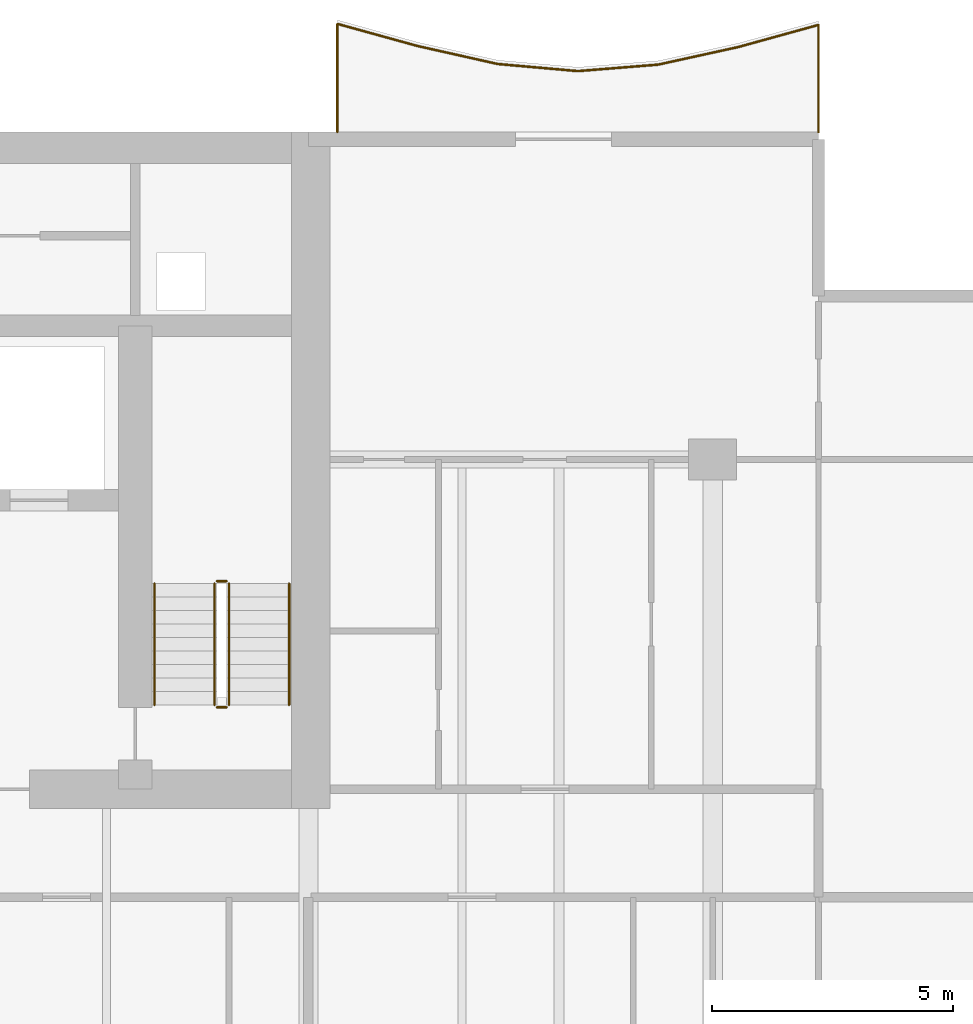
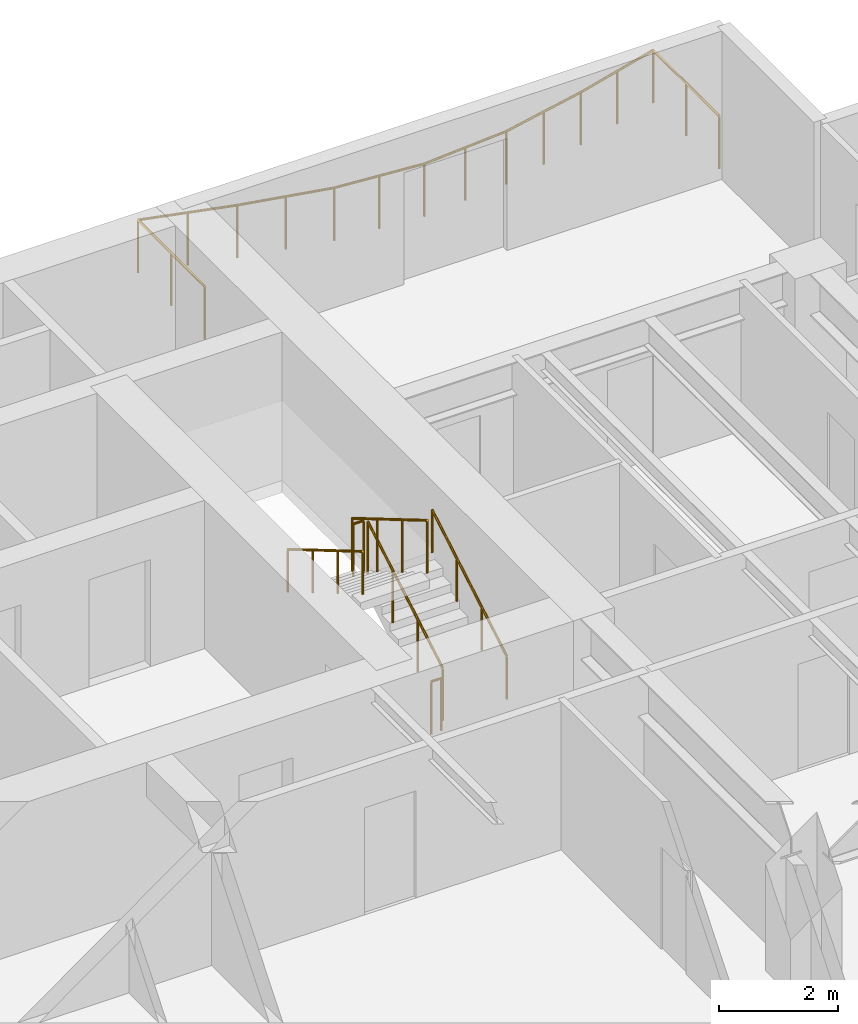
# One storey, part 17 of 18: 7 railings.
"""IFC4 building model written with IfcOpenShell, lengths in metres."""

from ifc_helpers import new_model, si_unit, direction, frame, origin, origin_2d, place, context, subcontext, project, spatial, circle, extrude, material, type_object, element, save


model = new_model("IFC4")

# Units and contexts
model_context = context("Model", 3, precision=1e-05, world=origin(), true_north=direction((0.0, 1.0)))
body_context = subcontext(model_context, "Body", "Model", "MODEL_VIEW")
ifc_project = project(units=[si_unit("LENGTHUNIT", "METRE"), si_unit("AREAUNIT", "SQUARE_METRE"), si_unit("VOLUMEUNIT", "CUBIC_METRE"), si_unit("PLANEANGLEUNIT", "RADIAN"), si_unit("MASSUNIT", "GRAM", prefix="KILO")], contexts=[model_context])

# Site, building, storey
site_placement = place(None, origin())
site = spatial("IfcSite", under=ifc_project, at=site_placement, CompositionType="ELEMENT")
building_placement = place(site_placement, origin())
building = spatial("IfcBuilding", under=site, at=building_placement, Name="Caelmar Bay Residences", CompositionType="ELEMENT")
storey_placement = place(building_placement, frame((0.0, 0.0, 129.0)))
storey = spatial("IfcBuildingStorey", under=building, at=storey_placement, Name="L35", CompositionType="ELEMENT", Elevation=129.0)

# Railings
ifc_material_1 = material(Name="Anodised bronze handrail with laminated hurricane glass infill", Category="glass")
railing_type_1 = type_object("IfcRailingType", Name="RL-BAL-1100", PredefinedType="BALUSTRADE", material=ifc_material_1)
railing_1_placement = place(storey_placement, frame((70.10009765625, 50.60009765625, 0.0)))
element("IfcRailing", 1, at=railing_1_placement, inside=storey, type_object=railing_type_1, Name="L35 north_east Balcony Balustrade", PredefinedType="BALUSTRADE", context=body_context, shape_type="SweptSolid", body=[
    extrude(circle(Radius=0.02392578125, at=origin_2d()), frame((0.0, 0.0, 1.076171875), z_axis=(0.0, 1.0, 0.0), x_axis=(-1.0, 0.0, 0.0)), (0.0, 0.0, 1.0), 2.230224609375),
    extrude(circle(Radius=0.02392578125, at=origin_2d()), frame((0.0, 2.230224609375, 1.076171875), z_axis=(-0.964003851304, -0.265888274792, 0.0), x_axis=(0.265888274792, -0.964003851304, 0.0)), (0.0, 0.0, 1.0), 1.72900390625),
    extrude(circle(Radius=0.02392578125, at=origin_2d()), frame((-1.666748046875, 1.7705078125, 1.076171875), z_axis=(-0.976732649354, -0.214460559745, 0.0), x_axis=(0.214460559745, -0.976732649354, 0.0)), (0.0, 0.0, 1.0), 1.70654296875),
    extrude(circle(Radius=0.02392578125, at=origin_2d()), frame((-3.33349609375, 1.404541015625, 1.076171875), z_axis=(-0.996757913482, -0.080459069782, 0.0), x_axis=(0.080459069782, -0.996757913482, 0.0)), (0.0, 0.0, 1.0), 1.671875),
    extrude(circle(Radius=0.02392578125, at=origin_2d()), frame((-5.0, 1.27001953125, 1.076171875), z_axis=(-0.99610915751, 0.088128011006, 0.0), x_axis=(-0.088128011006, -0.99610915751, 0.0)), (0.0, 0.0, 1.0), 1.67333984375),
    extrude(circle(Radius=0.02392578125, at=origin_2d()), frame((-6.666748046875, 1.41748046875, 1.076171875), z_axis=(-0.975703783406, 0.219093877246, 0.0), x_axis=(-0.219093877246, -0.975703783406, 0.0)), (0.0, 0.0, 1.0), 1.708251953125),
    extrude(circle(Radius=0.02392578125, at=origin_2d()), frame((-8.33349609375, 1.791748046875, 1.076171875), z_axis=(-0.963957656343, 0.266055702395, 0.0), x_axis=(-0.266055702395, -0.963957656343, 0.0)), (0.0, 0.0, 1.0), 1.728759765625),
    extrude(circle(Radius=0.02392578125, at=origin_2d()), frame((-10.0, 2.251708984375, 1.076171875), z_axis=(0.0, -1.0, 0.0), x_axis=(1.0, 0.0, 0.0)), (0.0, 0.0, 1.0), 2.251708984375),
    extrude(circle(Radius=0.02099609375, at=origin_2d()), origin(), (0.0, 0.0, 1.0), 1.052001953125),
    extrude(circle(Radius=0.02099609375, at=origin_2d()), frame((0.0, 1.115234375, 0.0)), (0.0, 0.0, 1.0), 1.052001953125),
    extrude(circle(Radius=0.02099609375, at=origin_2d()), frame((0.0, 2.230224609375, 0.0)), (0.0, 0.0, 1.0), 1.052001953125),
    extrude(circle(Radius=0.02099609375, at=origin_2d()), frame((-0.83349609375, 2.00048828125, 0.0)), (0.0, 0.0, 1.0), 1.052001953125),
    extrude(circle(Radius=0.02099609375, at=origin_2d()), frame((-1.666748046875, 1.7705078125, 0.0)), (0.0, 0.0, 1.0), 1.052001953125),
    extrude(circle(Radius=0.02099609375, at=origin_2d()), frame((-2.5, 1.58740234375, 0.0)), (0.0, 0.0, 1.0), 1.052001953125),
    extrude(circle(Radius=0.02099609375, at=origin_2d()), frame((-3.33349609375, 1.404541015625, 0.0)), (0.0, 0.0, 1.0), 1.052001953125),
    extrude(circle(Radius=0.02099609375, at=origin_2d()), frame((-4.166748046875, 1.33740234375, 0.0)), (0.0, 0.0, 1.0), 1.052001953125),
    extrude(circle(Radius=0.02099609375, at=origin_2d()), frame((-5.0, 1.27001953125, 0.0)), (0.0, 0.0, 1.0), 1.052001953125),
    extrude(circle(Radius=0.02099609375, at=origin_2d()), frame((-5.83349609375, 1.34375, 0.0)), (0.0, 0.0, 1.0), 1.052001953125),
    extrude(circle(Radius=0.02099609375, at=origin_2d()), frame((-6.666748046875, 1.41748046875, 0.0)), (0.0, 0.0, 1.0), 1.052001953125),
    extrude(circle(Radius=0.02099609375, at=origin_2d()), frame((-7.5, 1.6044921875, 0.0)), (0.0, 0.0, 1.0), 1.052001953125),
    extrude(circle(Radius=0.02099609375, at=origin_2d()), frame((-8.33349609375, 1.791748046875, 0.0)), (0.0, 0.0, 1.0), 1.052001953125),
    extrude(circle(Radius=0.02099609375, at=origin_2d()), frame((-9.166748046875, 2.021728515625, 0.0)), (0.0, 0.0, 1.0), 1.052001953125),
    extrude(circle(Radius=0.02099609375, at=origin_2d()), frame((-10.0, 2.251708984375, 0.0)), (0.0, 0.0, 1.0), 1.052001953125),
    extrude(circle(Radius=0.02099609375, at=origin_2d()), frame((-10.0, 1.1259765625, 0.0)), (0.0, 0.0, 1.0), 1.052001953125),
    extrude(circle(Radius=0.02099609375, at=origin_2d()), frame((-10.0, 0.0, 0.0)), (0.0, 0.0, 1.0), 1.052001953125),
])
ifc_material_2 = material(Name="Painted galvanized steel stair guard 1100 mm", Category="steel")
railing_type_2 = type_object("IfcRailingType", Name="RL-GRD-1100", PredefinedType="GUARDRAIL", material=ifc_material_2)
railing_2_placement = place(storey_placement, frame((57.85009765625, 38.699951171875, 0.1650390625)))
element("IfcRailing", 2, at=railing_2_placement, inside=storey, type_object=railing_type_2, Name="L35 ST2 stair guard 1", PredefinedType="GUARDRAIL", context=body_context, shape_type="SweptSolid", body=[
    extrude(circle(Radius=0.02392578125, at=origin_2d()), frame((0.0, 0.0, 1.076171875), z_axis=(0.0, 0.861560626758, 0.507654692109), x_axis=(-1.0, 0.0, 0.0)), (0.0, 0.0, 1.0), 2.925048828125),
    extrude(circle(Radius=0.02099609375, at=origin_2d()), origin(), (0.0, 0.0, 1.0), 1.052001953125),
    extrude(circle(Radius=0.02099609375, at=origin_2d()), frame((0.0, 0.840087890625, 0.494873046875)), (0.0, 0.0, 1.0), 1.052001953125),
    extrude(circle(Radius=0.02099609375, at=origin_2d()), frame((0.0, 1.679931640625, 0.989990234375)), (0.0, 0.0, 1.0), 1.052001953125),
    extrude(circle(Radius=0.02099609375, at=origin_2d()), frame((0.0, 2.52001953125, 1.48486328125)), (0.0, 0.0, 1.0), 1.052001953125),
])
railing_3_placement = place(storey_placement, frame((57.800048828125, 41.27001953125, 1.64990234375)))
element("IfcRailing", 3, at=railing_3_placement, inside=storey, type_object=railing_type_2, Name="L35 ST2 stair guard 2", PredefinedType="GUARDRAIL", context=body_context, shape_type="SweptSolid", body=[
    extrude(circle(Radius=0.02392578125, at=origin_2d()), frame((0.0, 0.0, 1.076171875), z_axis=(-1.0, 0.0, 0.0), x_axis=(0.0, -1.0, 0.0)), (0.0, 0.0, 1.0), 0.199951171875),
    extrude(circle(Radius=0.02099609375, at=origin_2d()), origin(), (0.0, 0.0, 1.0), 1.052001953125),
    extrude(circle(Radius=0.02099609375, at=origin_2d()), frame((-0.199951171875, 0.0, 0.0)), (0.0, 0.0, 1.0), 1.052001953125),
])
railing_4_placement = place(storey_placement, frame((57.550048828125, 41.219970703125, 1.81494140625)))
element("IfcRailing", 4, at=railing_4_placement, inside=storey, type_object=railing_type_2, Name="L35 ST2 stair guard 3", PredefinedType="GUARDRAIL", context=body_context, shape_type="SweptSolid", body=[
    extrude(circle(Radius=0.02392578125, at=origin_2d()), frame((0.0, 0.0, 1.076171875), z_axis=(0.0, -0.86152411907, 0.507716645641), x_axis=(1.0, 0.0, 0.0)), (0.0, 0.0, 1.0), 2.925048828125),
    extrude(circle(Radius=0.02099609375, at=origin_2d()), origin(), (0.0, 0.0, 1.0), 1.052001953125),
    extrude(circle(Radius=0.02099609375, at=origin_2d()), frame((0.0, -0.840087890625, 0.4951171875)), (0.0, 0.0, 1.0), 1.052001953125),
    extrude(circle(Radius=0.02099609375, at=origin_2d()), frame((0.0, -1.679931640625, 0.989990234375)), (0.0, 0.0, 1.0), 1.052001953125),
    extrude(circle(Radius=0.02099609375, at=origin_2d()), frame((0.0, -2.52001953125, 1.485107421875)), (0.0, 0.0, 1.0), 1.052001953125),
])
railing_5_placement = place(storey_placement, frame((57.800048828125, 38.64990234375, 0.0)))
element("IfcRailing", 5, at=railing_5_placement, inside=storey, type_object=railing_type_2, Name="L35 ST2 stair guard 4", PredefinedType="GUARDRAIL", context=body_context, shape_type="SweptSolid", body=[
    extrude(circle(Radius=0.02392578125, at=origin_2d()), frame((0.0, 0.0, 1.076171875), z_axis=(-1.0, 0.0, 0.0), x_axis=(0.0, -1.0, 0.0)), (0.0, 0.0, 1.0), 0.199951171875),
    extrude(circle(Radius=0.02099609375, at=origin_2d()), origin(), (0.0, 0.0, 1.0), 1.052001953125),
    extrude(circle(Radius=0.02099609375, at=origin_2d()), frame((-0.199951171875, 0.0, 0.0)), (0.0, 0.0, 1.0), 1.052001953125),
])
ifc_material_3 = material(Name="Brushed bronze stainless-steel tubular handrail 900 mm", Category="steel")
railing_type_3 = type_object("IfcRailingType", Name="RL-HND-900", PredefinedType="HANDRAIL", material=ifc_material_3)
railing_6_placement = place(storey_placement, frame((59.10009765625, 38.699951171875, 0.1650390625)))
element("IfcRailing", 6, at=railing_6_placement, inside=storey, type_object=railing_type_3, Name="L35 ST2 stair handrail 1", PredefinedType="HANDRAIL", context=body_context, shape_type="SweptSolid", body=[
    extrude(circle(Radius=0.02392578125, at=origin_2d()), frame((0.0, 0.0, 0.8759765625), z_axis=(0.0, 0.861560626758, 0.507654692109), x_axis=(-1.0, 0.0, 0.0)), (0.0, 0.0, 1.0), 2.925048828125),
    extrude(circle(Radius=0.02099609375, at=origin_2d()), origin(), (0.0, 0.0, 1.0), 0.851806640625),
    extrude(circle(Radius=0.02099609375, at=origin_2d()), frame((0.0, 0.840087890625, 0.494873046875)), (0.0, 0.0, 1.0), 0.851806640625),
    extrude(circle(Radius=0.02099609375, at=origin_2d()), frame((0.0, 1.679931640625, 0.989990234375)), (0.0, 0.0, 1.0), 0.851806640625),
    extrude(circle(Radius=0.02099609375, at=origin_2d()), frame((0.0, 2.52001953125, 1.48486328125)), (0.0, 0.0, 1.0), 0.851806640625),
])
railing_7_placement = place(storey_placement, frame((56.300048828125, 41.219970703125, 1.81494140625)))
element("IfcRailing", 7, at=railing_7_placement, inside=storey, type_object=railing_type_3, Name="L35 ST2 stair handrail 2", PredefinedType="HANDRAIL", context=body_context, shape_type="SweptSolid", body=[
    extrude(circle(Radius=0.02392578125, at=origin_2d()), frame((0.0, 0.0, 0.8759765625), z_axis=(0.0, -0.86152411907, 0.507716645641), x_axis=(1.0, 0.0, 0.0)), (0.0, 0.0, 1.0), 2.925048828125),
    extrude(circle(Radius=0.02099609375, at=origin_2d()), origin(), (0.0, 0.0, 1.0), 0.851806640625),
    extrude(circle(Radius=0.02099609375, at=origin_2d()), frame((0.0, -0.840087890625, 0.4951171875)), (0.0, 0.0, 1.0), 0.851806640625),
    extrude(circle(Radius=0.02099609375, at=origin_2d()), frame((0.0, -1.679931640625, 0.989990234375)), (0.0, 0.0, 1.0), 0.851806640625),
    extrude(circle(Radius=0.02099609375, at=origin_2d()), frame((0.0, -2.52001953125, 1.485107421875)), (0.0, 0.0, 1.0), 0.851806640625),
])

save(model, "model.ifc")
